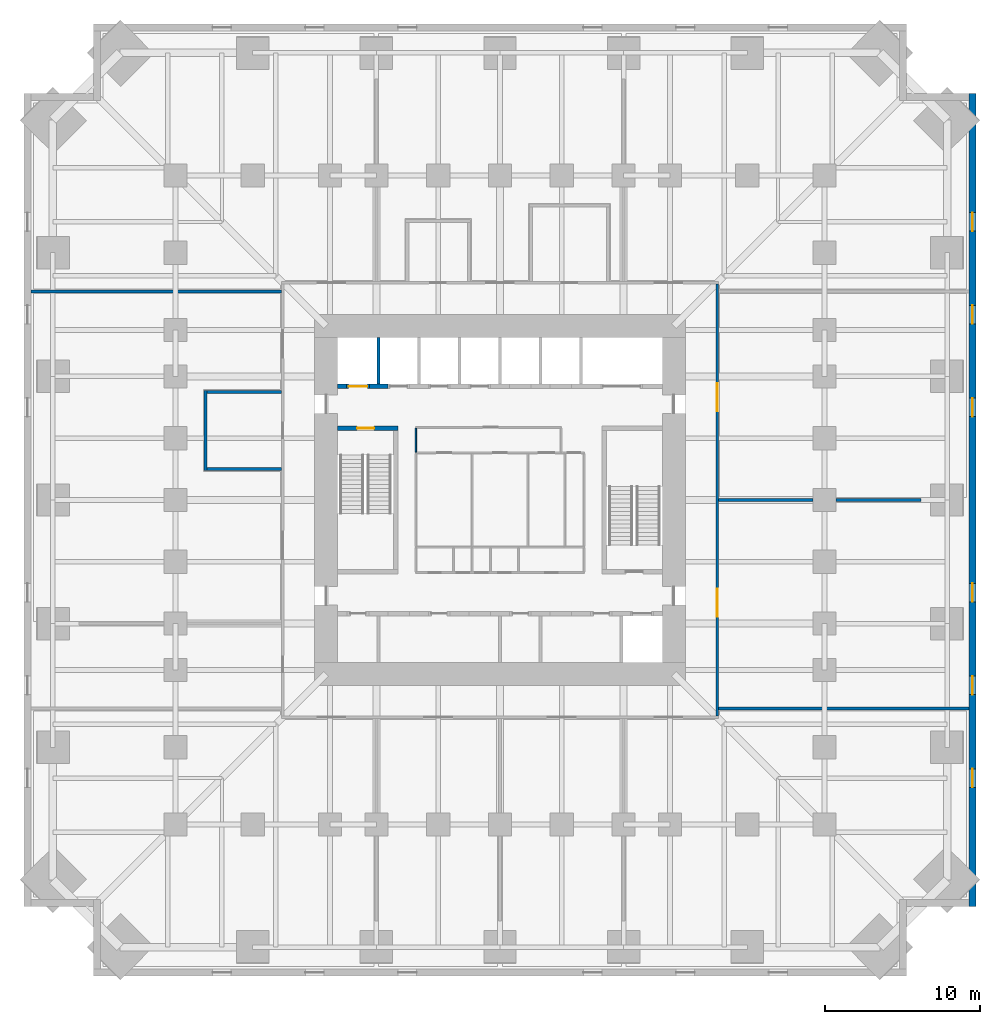
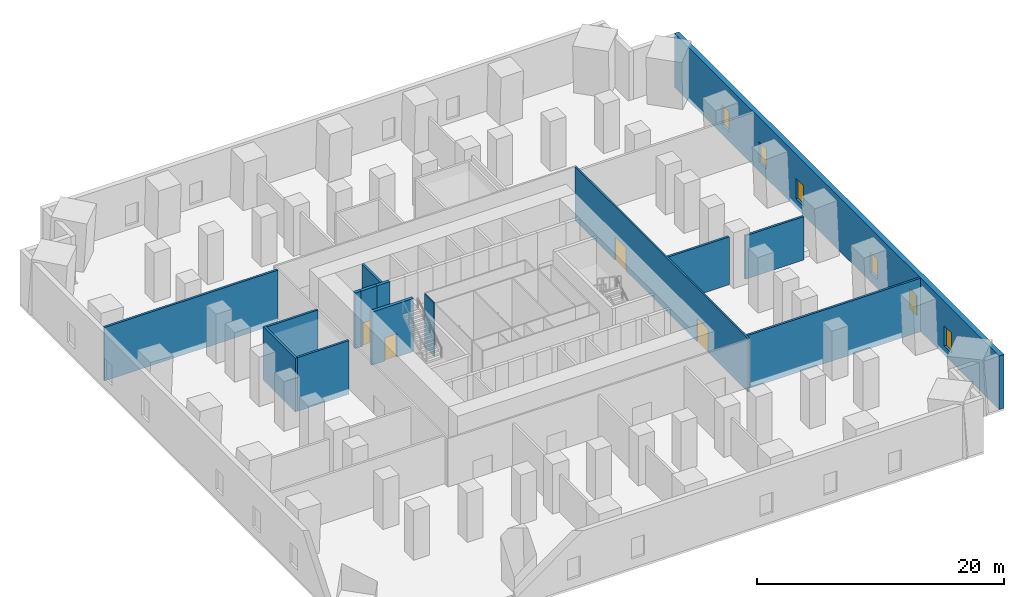
# One storey, part 5 of 8: 15 walls, 6 windows, 4 doors, 10 openings.
"""IFC4 building model written with IfcOpenShell, lengths in metres."""

from ifc_helpers import new_model, si_unit, direction, frame, frame_2d, origin, place, context, subcontext, project, spatial, rectangle, extrude, material, layer, layer_set, type_object, element, fill, save


model = new_model("IFC4")

# Units and contexts
model_context = context("Model", 3, precision=1e-05, world=origin(), true_north=direction((0.0, 1.0)))
body_context = subcontext(model_context, "Body", "Model", "MODEL_VIEW")
ifc_project = project(units=[si_unit("LENGTHUNIT", "METRE"), si_unit("AREAUNIT", "SQUARE_METRE"), si_unit("VOLUMEUNIT", "CUBIC_METRE"), si_unit("PLANEANGLEUNIT", "RADIAN"), si_unit("MASSUNIT", "GRAM", prefix="KILO")], contexts=[model_context])

# Site, building, storey
site_placement = place(None, origin())
site = spatial("IfcSite", under=ifc_project, at=site_placement, CompositionType="ELEMENT")
building_placement = place(site_placement, origin())
building = spatial("IfcBuilding", under=site, at=building_placement, Name="Peilmerk Tower", CompositionType="ELEMENT")
storey_placement = place(building_placement, frame((0.0, 0.0, 48.5)))
storey = spatial("IfcBuildingStorey", under=building, at=storey_placement, Name="L09", CompositionType="ELEMENT", Elevation=48.5)

# Wall, openings, windows
ifc_material_1 = material(Name="Precast concrete C45/55, board-marked finish", Category="concrete")
ifc_layer_1 = layer(ifc_material_1, 0.449951171875)
ifc_layer_set_1 = layer_set([ifc_layer_1], Name="Precast concrete C45/55, board-marked finish")
wall_type_1 = type_object("IfcWallType", Name="EW1 450 precast concrete facade wall, board-marked", PredefinedType="SOLIDWALL", material=ifc_layer_set_1)
wall_1_placement = place(storey_placement, frame((30.574951171875, -26.300048828125, 0.0), z_axis=(0.0, 0.0, 1.0), x_axis=(0.0, 1.0, 0.0)))
wall_1 = element("IfcWall", 1, at=wall_1_placement, inside=storey, type_object=wall_type_1, Name="Facade wall E L09", PredefinedType="SOLIDWALL", context=body_context, shape_type="SweptSolid", body=[
    extrude(rectangle(XDim=52.60009765625, YDim=0.449951171875, at=frame_2d((26.300048828125, 0.0))), origin(), (0.0, 0.0, 1.0), 5.300048828125),
])
opening_1_placement = place(wall_1_placement, frame((7.699951171875, 0.0, 0.89990234375)))
opening_1 = element("IfcOpeningElement", 2, at=opening_1_placement, cuts=wall_1, Name="Opening W2", PredefinedType="OPENING", context=body_context, shape_type="SweptSolid", body=[
    extrude(rectangle(XDim=1.199951171875, YDim=2.0, at=frame_2d((0.60009765625, 1.0))), frame((0.0, 0.23486328125, 0.0), z_axis=(0.0, -1.0, 0.0), x_axis=(1.0, 0.0, 0.0)), (0.0, 0.0, 1.0), 0.469970703125),
])
opening_2_placement = place(wall_1_placement, frame((13.699951171875, 0.0, 0.89990234375)))
opening_2 = element("IfcOpeningElement", 3, at=opening_2_placement, cuts=wall_1, Name="Opening W2", PredefinedType="OPENING", context=body_context, shape_type="SweptSolid", body=[
    extrude(rectangle(XDim=1.199951171875, YDim=2.0, at=frame_2d((0.60009765625, 1.0))), frame((0.0, 0.23486328125, 0.0), z_axis=(0.0, -1.0, 0.0), x_axis=(1.0, 0.0, 0.0)), (0.0, 0.0, 1.0), 0.469970703125),
])
opening_3_placement = place(wall_1_placement, frame((19.699951171875, 0.0, 0.89990234375)))
opening_3 = element("IfcOpeningElement", 4, at=opening_3_placement, cuts=wall_1, Name="Opening W2", PredefinedType="OPENING", context=body_context, shape_type="SweptSolid", body=[
    extrude(rectangle(XDim=1.199951171875, YDim=2.0, at=frame_2d((0.60009765625, 1.0))), frame((0.0, 0.23486328125, 0.0), z_axis=(0.0, -1.0, 0.0), x_axis=(1.0, 0.0, 0.0)), (0.0, 0.0, 1.0), 0.469970703125),
])
opening_4_placement = place(wall_1_placement, frame((31.699951171875, 0.0, 0.89990234375)))
opening_4 = element("IfcOpeningElement", 5, at=opening_4_placement, cuts=wall_1, Name="Opening W2", PredefinedType="OPENING", context=body_context, shape_type="SweptSolid", body=[
    extrude(rectangle(XDim=1.199951171875, YDim=2.0, at=frame_2d((0.60009765625, 1.0))), frame((0.0, 0.23486328125, 0.0), z_axis=(0.0, -1.0, 0.0), x_axis=(1.0, 0.0, 0.0)), (0.0, 0.0, 1.0), 0.469970703125),
])
opening_5_placement = place(wall_1_placement, frame((37.699951171875, 0.0, 0.89990234375)))
opening_5 = element("IfcOpeningElement", 6, at=opening_5_placement, cuts=wall_1, Name="Opening W2", PredefinedType="OPENING", context=body_context, shape_type="SweptSolid", body=[
    extrude(rectangle(XDim=1.199951171875, YDim=2.0, at=frame_2d((0.60009765625, 1.0))), frame((0.0, 0.23486328125, 0.0), z_axis=(0.0, -1.0, 0.0), x_axis=(1.0, 0.0, 0.0)), (0.0, 0.0, 1.0), 0.469970703125),
])
opening_6_placement = place(wall_1_placement, frame((43.699951171875, 0.0, 0.89990234375)))
opening_6 = element("IfcOpeningElement", 7, at=opening_6_placement, cuts=wall_1, Name="Opening W2", PredefinedType="OPENING", context=body_context, shape_type="SweptSolid", body=[
    extrude(rectangle(XDim=1.199951171875, YDim=2.0, at=frame_2d((0.60009765625, 1.0))), frame((0.0, 0.23486328125, 0.0), z_axis=(0.0, -1.0, 0.0), x_axis=(1.0, 0.0, 0.0)), (0.0, 0.0, 1.0), 0.469970703125),
])
ifc_material_2 = material(Name="Aluminium frame, clear double glazing", Category="aluminium")
window_type = type_object("IfcWindowType", Name="W2 1200x2000 data hall slot window", PartitioningType="SINGLE_PANEL", PredefinedType="WINDOW", material=ifc_material_2)
window_1_placement = place(opening_1_placement, origin())
window_1 = element("IfcWindow", 8, at=window_1_placement, inside=storey, type_object=window_type, Name="Window W2 L09", OverallHeight=2.0, OverallWidth=1.199951171875, PartitioningType="SINGLE_PANEL", PredefinedType="WINDOW", context=body_context, shape_type="SweptSolid", body=[
    extrude(rectangle(XDim=1.199951171875, YDim=2.0, at=frame_2d((0.60009765625, 1.0))), frame((0.0, 0.030029296875, 0.0), z_axis=(0.0, -1.0, 0.0), x_axis=(1.0, 0.0, 0.0)), (0.0, 0.0, 1.0), 0.06005859375),
])
fill(opening_1, window_1)
window_2_placement = place(opening_2_placement, origin())
window_2 = element("IfcWindow", 9, at=window_2_placement, inside=storey, type_object=window_type, Name="Window W2 L09", OverallHeight=2.0, OverallWidth=1.199951171875, PartitioningType="SINGLE_PANEL", PredefinedType="WINDOW", context=body_context, shape_type="SweptSolid", body=[
    extrude(rectangle(XDim=1.199951171875, YDim=2.0, at=frame_2d((0.60009765625, 1.0))), frame((0.0, 0.030029296875, 0.0), z_axis=(0.0, -1.0, 0.0), x_axis=(1.0, 0.0, 0.0)), (0.0, 0.0, 1.0), 0.06005859375),
])
fill(opening_2, window_2)
window_3_placement = place(opening_3_placement, origin())
window_3 = element("IfcWindow", 10, at=window_3_placement, inside=storey, type_object=window_type, Name="Window W2 L09", OverallHeight=2.0, OverallWidth=1.199951171875, PartitioningType="SINGLE_PANEL", PredefinedType="WINDOW", context=body_context, shape_type="SweptSolid", body=[
    extrude(rectangle(XDim=1.199951171875, YDim=2.0, at=frame_2d((0.60009765625, 1.0))), frame((0.0, 0.030029296875, 0.0), z_axis=(0.0, -1.0, 0.0), x_axis=(1.0, 0.0, 0.0)), (0.0, 0.0, 1.0), 0.06005859375),
])
fill(opening_3, window_3)
window_4_placement = place(opening_4_placement, origin())
window_4 = element("IfcWindow", 11, at=window_4_placement, inside=storey, type_object=window_type, Name="Window W2 L09", OverallHeight=2.0, OverallWidth=1.199951171875, PartitioningType="SINGLE_PANEL", PredefinedType="WINDOW", context=body_context, shape_type="SweptSolid", body=[
    extrude(rectangle(XDim=1.199951171875, YDim=2.0, at=frame_2d((0.60009765625, 1.0))), frame((0.0, 0.030029296875, 0.0), z_axis=(0.0, -1.0, 0.0), x_axis=(1.0, 0.0, 0.0)), (0.0, 0.0, 1.0), 0.06005859375),
])
fill(opening_4, window_4)
window_5_placement = place(opening_5_placement, origin())
window_5 = element("IfcWindow", 12, at=window_5_placement, inside=storey, type_object=window_type, Name="Window W2 L09", OverallHeight=2.0, OverallWidth=1.199951171875, PartitioningType="SINGLE_PANEL", PredefinedType="WINDOW", context=body_context, shape_type="SweptSolid", body=[
    extrude(rectangle(XDim=1.199951171875, YDim=2.0, at=frame_2d((0.60009765625, 1.0))), frame((0.0, 0.030029296875, 0.0), z_axis=(0.0, -1.0, 0.0), x_axis=(1.0, 0.0, 0.0)), (0.0, 0.0, 1.0), 0.06005859375),
])
fill(opening_5, window_5)
window_6_placement = place(opening_6_placement, origin())
window_6 = element("IfcWindow", 13, at=window_6_placement, inside=storey, type_object=window_type, Name="Window W2 L09", OverallHeight=2.0, OverallWidth=1.199951171875, PartitioningType="SINGLE_PANEL", PredefinedType="WINDOW", context=body_context, shape_type="SweptSolid", body=[
    extrude(rectangle(XDim=1.199951171875, YDim=2.0, at=frame_2d((0.60009765625, 1.0))), frame((0.0, 0.030029296875, 0.0), z_axis=(0.0, -1.0, 0.0), x_axis=(1.0, 0.0, 0.0)), (0.0, 0.0, 1.0), 0.06005859375),
])
fill(opening_6, window_6)

# Wall, openings, doors
ifc_material_3 = material(Name="Calcium silicate block", Category="masonry")
ifc_layer_2 = layer(ifc_material_3, 0.14990234375)
ifc_layer_set_2 = layer_set([ifc_layer_2], Name="Calcium silicate block")
wall_type_2 = type_object("IfcWallType", Name="IW1 150 corridor partition, EI 60", PredefinedType="PARTITIONING", material=ifc_layer_set_2)
wall_2_placement = place(storey_placement, frame((14.050048828125, -13.97509765625, 0.0), z_axis=(0.0, 0.0, 1.0), x_axis=(0.0, 1.0, 0.0)))
wall_2 = element("IfcWall", 14, at=wall_2_placement, inside=storey, type_object=wall_type_2, Name="Corridor wall E L09", PredefinedType="PARTITIONING", context=body_context, shape_type="SweptSolid", body=[
    extrude(rectangle(XDim=27.9501953125, YDim=0.14990234375, at=frame_2d((13.97509765625, 0.0))), origin(), (0.0, 0.0, 1.0), 5.300048828125),
])
opening_7_placement = place(wall_2_placement, frame((6.425048828125, 0.0, 0.0)))
opening_7 = element("IfcOpeningElement", 15, at=opening_7_placement, cuts=wall_2, Name="Opening D2", PredefinedType="OPENING", context=body_context, shape_type="SweptSolid", body=[
    extrude(rectangle(XDim=1.800048828125, YDim=2.300048828125, at=frame_2d((0.89990234375, 1.14990234375))), frame((0.0, 0.0849609375, 0.0), z_axis=(0.0, -1.0, 0.0), x_axis=(1.0, 0.0, 0.0)), (0.0, 0.0, 1.0), 0.169921875),
])
opening_8_placement = place(wall_2_placement, frame((19.72509765625, 0.0, 0.0)))
opening_8 = element("IfcOpeningElement", 16, at=opening_8_placement, cuts=wall_2, Name="Opening D2", PredefinedType="OPENING", context=body_context, shape_type="SweptSolid", body=[
    extrude(rectangle(XDim=1.800048828125, YDim=2.300048828125, at=frame_2d((0.89990234375, 1.14990234375))), frame((0.0, 0.0849609375, 0.0), z_axis=(0.0, -1.0, 0.0), x_axis=(1.0, 0.0, 0.0)), (0.0, 0.0, 1.0), 0.169921875),
])
ifc_material_4 = material(Name="Steel door in steel frame", Category="steel")
door_type_1 = type_object("IfcDoorType", Name="D2 1800x2300 double door, EI2 60", OperationType="DOUBLE_DOOR_DOUBLE_SWING", PredefinedType="DOOR", material=ifc_material_4)
door_1_placement = place(opening_7_placement, frame((1.800048828125, 0.0, 0.0), z_axis=(0.0, 0.0, 1.0), x_axis=(-1.0, 0.0, 0.0)))
door_1 = element("IfcDoor", 17, at=door_1_placement, inside=storey, type_object=door_type_1, Name="Door Battery room L09", OperationType="DOUBLE_DOOR_DOUBLE_SWING", OverallHeight=2.300048828125, OverallWidth=1.800048828125, PredefinedType="DOOR", context=body_context, shape_type="SweptSolid", body=[
    extrude(rectangle(XDim=1.800048828125, YDim=2.300048828125, at=frame_2d((0.89990234375, 1.14990234375))), frame((0.0, 0.02490234375, 0.0), z_axis=(0.0, -1.0, 0.0), x_axis=(1.0, 0.0, 0.0)), (0.0, 0.0, 1.0), 0.050048828125),
])
fill(opening_7, door_1)
door_2_placement = place(opening_8_placement, frame((1.800048828125, 0.0, 0.0), z_axis=(0.0, 0.0, 1.0), x_axis=(-1.0, 0.0, 0.0)))
door_2 = element("IfcDoor", 18, at=door_2_placement, inside=storey, type_object=door_type_1, Name="Door UPS room L09", OperationType="DOUBLE_DOOR_DOUBLE_SWING", OverallHeight=2.300048828125, OverallWidth=1.800048828125, PredefinedType="DOOR", context=body_context, shape_type="SweptSolid", body=[
    extrude(rectangle(XDim=1.800048828125, YDim=2.300048828125, at=frame_2d((0.89990234375, 1.14990234375))), frame((0.0, 0.02490234375, 0.0), z_axis=(0.0, -1.0, 0.0), x_axis=(1.0, 0.0, 0.0)), (0.0, 0.0, 1.0), 0.050048828125),
])
fill(opening_8, door_2)

# Walls
ifc_layer_3 = layer(ifc_material_3, 0.199951171875)
ifc_layer_set_3 = layer_set([ifc_layer_3], Name="Calcium silicate block")
wall_type_3 = type_object("IfcWallType", Name="IW2 200 room separating wall, EI 120", PredefinedType="PARTITIONING", material=ifc_layer_set_3)
for number, where, z_axis, x_axis, name in (
    (19, (-30.35009765625, 13.5, 0.0), (0.0, 0.0, 1.0), (1.0, 0.0, 0.0), "Room separating wall NW L09"),
    (20, (30.35009765625, -13.5, 0.0), (0.0, 0.0, 1.0), (-1.0, 0.0, 0.0), "Room separating wall SE L09"),
):
    element("IfcWall", number, at=place(storey_placement, frame(where, z_axis=z_axis, x_axis=x_axis)), inside=storey, type_object=wall_type_3, Name=name, PredefinedType="PARTITIONING", context=body_context, shape_type="SweptSolid", body=[
        extrude(rectangle(XDim=16.22509765625, YDim=0.199951171875, at=frame_2d((8.112548828125, 0.0))), origin(), (0.0, 0.0, 1.0), 5.300048828125),
    ])
wall_3_placement = place(storey_placement, frame((14.125, 0.0, 0.0), z_axis=(0.0, 0.0, 1.0), x_axis=(1.0, 0.0, 0.0)))
element("IfcWall", 21, at=wall_3_placement, inside=storey, type_object=wall_type_3, Name="Room separating wall E1 L09", PredefinedType="PARTITIONING", context=body_context, shape_type="SweptSolid", body=[
    extrude(rectangle(XDim=6.125, YDim=0.199951171875, at=frame_2d((3.0625, 0.0))), origin(), (0.0, 0.0, 1.0), 4.73095703125),
])
wall_4_placement = place(storey_placement, frame((21.75, 0.0, 0.0), z_axis=(0.0, 0.0, 1.0), x_axis=(1.0, 0.0, 0.0)))
element("IfcWall", 22, at=wall_4_placement, inside=storey, type_object=wall_type_3, Name="Room separating wall E1b L09", PredefinedType="PARTITIONING", context=body_context, shape_type="SweptSolid", body=[
    extrude(rectangle(XDim=5.484375, YDim=0.199951171875, at=frame_2d((2.7421875, 0.0))), origin(), (0.0, 0.0, 1.0), 4.2919921875),
])
wall_5_placement = place(storey_placement, frame((-19.050048828125, 1.89990234375, 0.0), z_axis=(0.0, 0.0, 1.0), x_axis=(0.0, 1.0, 0.0)))
element("IfcWall", 23, at=wall_5_placement, inside=storey, type_object=wall_type_3, Name="Room separating wall Customer meeting room L09", PredefinedType="PARTITIONING", context=body_context, shape_type="SweptSolid", body=[
    extrude(rectangle(XDim=5.2001953125, YDim=0.199951171875, at=frame_2d((2.60009765625, 0.0))), origin(), (0.0, 0.0, 1.0), 5.300048828125),
])
for number, where, z_axis, x_axis, name in (
    (24, (-14.125, 2.0, 0.0), (0.0, 0.0, 1.0), (-1.0, 0.0, 0.0), "Room separating wall Customer meeting room L09"),
    (25, (-14.125, 7.0, 0.0), (0.0, 0.0, 1.0), (-1.0, 0.0, 0.0), "Room separating wall Customer meeting room L09"),
):
    element("IfcWall", number, at=place(storey_placement, frame(where, z_axis=z_axis, x_axis=x_axis)), inside=storey, type_object=wall_type_3, Name=name, PredefinedType="PARTITIONING", context=body_context, shape_type="SweptSolid", body=[
        extrude(rectangle(XDim=4.824951171875, YDim=0.199951171875, at=frame_2d((2.41259765625, 0.0))), origin(), (0.0, 0.0, 1.0), 5.300048828125),
    ])

# Wall, opening, door
ifc_material_5 = material(Name="Concrete C35/45", Category="concrete")
ifc_layer_4 = layer(ifc_material_5, 0.300048828125)
ifc_layer_set_4 = layer_set([ifc_layer_4], Name="Concrete C35/45")
wall_type_4 = type_object("IfcWallType", Name="IW3 300 concrete stair enclosure wall, EI 120", PredefinedType="SOLIDWALL", material=ifc_layer_set_4)
wall_6_placement = place(storey_placement, frame((-10.5, 4.64990234375, 0.0), z_axis=(0.0, 0.0, 1.0), x_axis=(1.0, 0.0, 0.0)))
wall_6 = element("IfcWall", 26, at=wall_6_placement, inside=storey, type_object=wall_type_4, Name="Stair 1 enclosure L09", PredefinedType="SOLIDWALL", context=body_context, shape_type="SweptSolid", body=[
    extrude(rectangle(XDim=3.89990234375, YDim=0.300048828125, at=frame_2d((1.949951171875, 0.0))), origin(), (0.0, 0.0, 1.0), 5.25),
])
opening_9_placement = place(wall_6_placement, frame((1.25, 0.0, 0.0)))
opening_9 = element("IfcOpeningElement", 27, at=opening_9_placement, cuts=wall_6, Name="Opening D4", PredefinedType="OPENING", context=body_context, shape_type="SweptSolid", body=[
    extrude(rectangle(XDim=1.10009765625, YDim=2.300048828125, at=frame_2d((0.550048828125, 1.14990234375))), frame((0.0, 0.159912109375, 0.0), z_axis=(0.0, -1.0, 0.0), x_axis=(1.0, 0.0, 0.0)), (0.0, 0.0, 1.0), 0.320068359375),
])
door_type_2 = type_object("IfcDoorType", Name="D4 1100x2300 stair door, EI2 60", OperationType="SINGLE_SWING_RIGHT", PredefinedType="DOOR", material=ifc_material_4)
door_3_placement = place(opening_9_placement, frame((1.10009765625, 0.0, 0.0), z_axis=(0.0, 0.0, 1.0), x_axis=(-1.0, 0.0, 0.0)))
door_3 = element("IfcDoor", 28, at=door_3_placement, inside=storey, type_object=door_type_2, Name="Stair 1 door L09", OperationType="SINGLE_SWING_RIGHT", OverallHeight=2.300048828125, OverallWidth=1.10009765625, PredefinedType="DOOR", context=body_context, shape_type="SweptSolid", body=[
    extrude(rectangle(XDim=1.10009765625, YDim=2.300048828125, at=frame_2d((0.550048828125, 1.14990234375))), frame((0.0, 0.02490234375, 0.0), z_axis=(0.0, -1.0, 0.0), x_axis=(1.0, 0.0, 0.0)), (0.0, 0.0, 1.0), 0.050048828125),
])
fill(opening_9, door_3)

# Walls
ifc_material_6 = material(Name="Fire-resisting plasterboard on steel studs", Category="steel")
ifc_layer_5 = layer(ifc_material_6, 0.10009765625)
ifc_layer_set_5 = layer_set([ifc_layer_5], Name="Fire-resisting plasterboard on steel studs")
wall_type_5 = type_object("IfcWallType", Name="IW9 100 WC lobby wall, EI 30", PredefinedType="PARTITIONING", material=ifc_layer_set_5)
wall_7_placement = place(storey_placement, frame((-5.449951171875, 3.10009765625, 0.0), z_axis=(0.0, 0.0, 1.0), x_axis=(0.0, 1.0, 0.0)))
element("IfcWall", 29, at=wall_7_placement, inside=storey, type_object=wall_type_5, Name="WC lobby wall L09", PredefinedType="PARTITIONING", context=body_context, shape_type="SweptSolid", body=[
    extrude(rectangle(XDim=1.5498046875, YDim=0.10009765625, at=frame_2d((0.77490234375, 0.0))), origin(), (0.0, 0.0, 1.0), 5.25),
])
ifc_layer_6 = layer(ifc_material_3, 0.199951171875)
ifc_layer_set_6 = layer_set([ifc_layer_6], Name="Calcium silicate block")
wall_type_6 = type_object("IfcWallType", Name="SH1 200 shaft dividing wall, EI 120", PredefinedType="PARTITIONING", material=ifc_layer_set_6)
wall_8_placement = place(storey_placement, frame((-7.875, 7.5, 0.0), z_axis=(0.0, 0.0, 1.0), x_axis=(0.0, 1.0, 0.0)))
element("IfcWall", 30, at=wall_8_placement, inside=storey, type_object=wall_type_6, Name="Shaft wall N FL1 L09", PredefinedType="PARTITIONING", context=body_context, shape_type="SweptSolid", body=[
    extrude(rectangle(XDim=3.0, YDim=0.199951171875, at=frame_2d((1.5, 0.0))), origin(), (0.0, 0.0, 1.0), 5.5),
])

# Wall, opening, door
ifc_layer_7 = layer(ifc_material_3, 0.300048828125)
ifc_layer_set_7 = layer_set([ifc_layer_7], Name="Calcium silicate block")
wall_type_7 = type_object("IfcWallType", Name="SH2 300 lift landing door panel, EI 120", PredefinedType="PARTITIONING", material=ifc_layer_set_7)
wall_9_placement = place(storey_placement, frame((-9.9375, 7.35009765625, 0.0), z_axis=(0.0, 0.0, 1.0), x_axis=(1.0, 0.0, 0.0)))
wall_9 = element("IfcWall", 31, at=wall_9_placement, inside=storey, type_object=wall_type_7, Name="Lift door panel N FL1 L09", PredefinedType="PARTITIONING", context=body_context, shape_type="SweptSolid", body=[
    extrude(rectangle(XDim=1.5, YDim=0.300048828125, at=frame_2d((0.75, 0.0))), origin(), (0.0, 0.0, 1.0), 5.5),
])
opening_10_placement = place(wall_9_placement, frame((0.14990234375, 0.0, 0.0)))
opening_10 = element("IfcOpeningElement", 32, at=opening_10_placement, cuts=wall_9, Name="Opening LD2", PredefinedType="OPENING", context=body_context, shape_type="SweptSolid", body=[
    extrude(rectangle(XDim=1.199951171875, YDim=2.300048828125, at=frame_2d((0.60009765625, 1.14990234375))), frame((0.0, 0.159912109375, 0.0), z_axis=(0.0, -1.0, 0.0), x_axis=(1.0, 0.0, 0.0)), (0.0, 0.0, 1.0), 0.320068359375),
])
ifc_material_7 = material(Name="Stainless steel landing door", Category="steel")
door_type_3 = type_object("IfcDoorType", Name="LD2 1200x2300 lift landing door, sliding, EI2 60", OperationType="SLIDING_TO_LEFT", PredefinedType="DOOR", material=ifc_material_7)
door_4_placement = place(opening_10_placement, frame((1.199951171875, 0.0, 0.0), z_axis=(0.0, 0.0, 1.0), x_axis=(-1.0, 0.0, 0.0)))
door_4 = element("IfcDoor", 33, at=door_4_placement, inside=storey, type_object=door_type_3, Name="Lift landing door FL1 L09", OperationType="SLIDING_TO_LEFT", OverallHeight=2.300048828125, OverallWidth=1.199951171875, PredefinedType="DOOR", context=body_context, shape_type="SweptSolid", body=[
    extrude(rectangle(XDim=1.199951171875, YDim=2.300048828125, at=frame_2d((0.60009765625, 1.14990234375))), frame((0.0, 0.02490234375, 0.0), z_axis=(0.0, -1.0, 0.0), x_axis=(1.0, 0.0, 0.0)), (0.0, 0.0, 1.0), 0.050048828125),
])
fill(opening_10, door_4)

# Walls
ifc_material_8 = material(Name="Concrete C55/67", Category="concrete")
ifc_layer_8 = layer(ifc_material_8, 0.300048828125)
ifc_layer_set_8 = layer_set([ifc_layer_8], Name="Concrete C55/67")
wall_type_8 = type_object("IfcWallType", Name="SW2 300 lift bank pier", PredefinedType="SHEAR", material=ifc_layer_set_8)
wall_10_placement = place(storey_placement, frame((-10.5, 7.35009765625, 0.0), z_axis=(0.0, 0.0, 1.0), x_axis=(1.0, 0.0, 0.0)))
element("IfcWall", 34, at=wall_10_placement, inside=storey, type_object=wall_type_8, Name="Lift bank pier N L09", PredefinedType="SHEAR", context=body_context, shape_type="SweptSolid", body=[
    extrude(rectangle(XDim=0.5625, YDim=0.300048828125, at=frame_2d((0.28125, 0.0))), origin(), (0.0, 0.0, 1.0), 5.5),
])
wall_11_placement = place(storey_placement, frame((-8.4375, 7.35009765625, 0.0), z_axis=(0.0, 0.0, 1.0), x_axis=(1.0, 0.0, 0.0)))
element("IfcWall", 35, at=wall_11_placement, inside=storey, type_object=wall_type_8, Name="Lift bank pier N L09", PredefinedType="SHEAR", context=body_context, shape_type="SweptSolid", body=[
    extrude(rectangle(XDim=1.175048828125, YDim=0.300048828125, at=frame_2d((0.58740234375, 0.0))), origin(), (0.0, 0.0, 1.0), 5.5),
])

save(model, "model.ifc")
